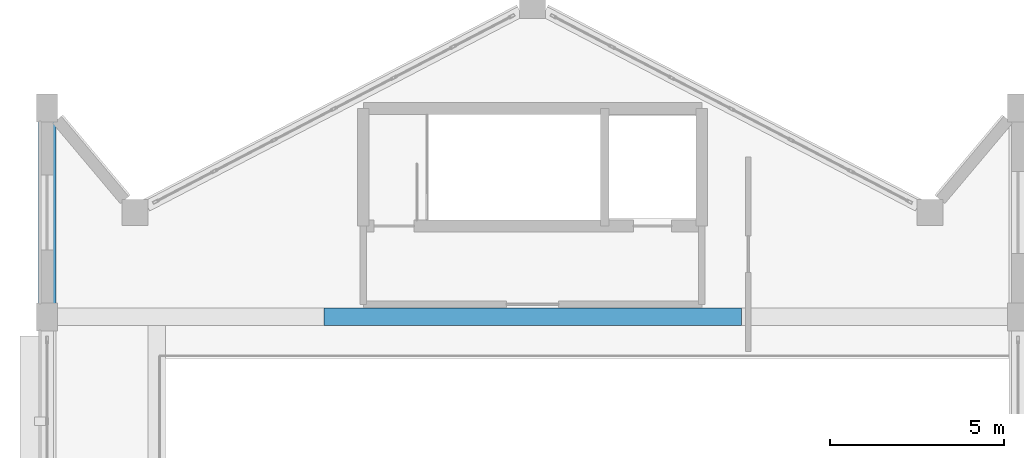
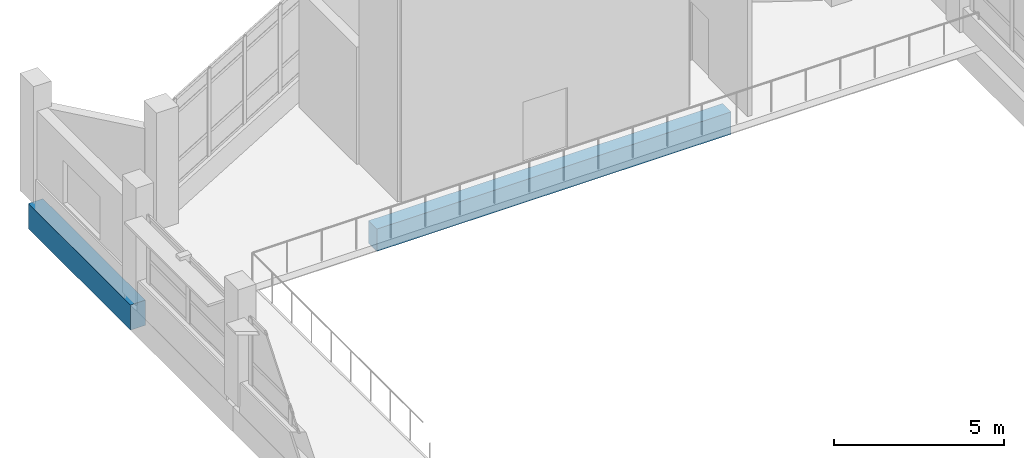
# One storey, part 24 of 128: 2 beams.
"""IFC4 building model written with IfcOpenShell, lengths in metres."""

from ifc_helpers import new_model, si_unit, direction, frame, origin, origin_2d, place, context, subcontext, project, spatial, rectangle, extrude, material, material_profile, profile_set, type_object, element, save


model = new_model("IFC4")

# Units and contexts
model_context = context("Model", 3, precision=1e-05, world=origin(), true_north=direction((0.0, 1.0)))
body_context = subcontext(model_context, "Body", "Model", "MODEL_VIEW")
ifc_project = project(units=[si_unit("LENGTHUNIT", "METRE"), si_unit("AREAUNIT", "SQUARE_METRE"), si_unit("VOLUMEUNIT", "CUBIC_METRE"), si_unit("PLANEANGLEUNIT", "RADIAN"), si_unit("MASSUNIT", "GRAM", prefix="KILO")], contexts=[model_context])

# Site, building, storey
site_placement = place(None, origin())
site = spatial("IfcSite", under=ifc_project, at=site_placement, CompositionType="ELEMENT")
building_placement = place(site_placement, origin())
building = spatial("IfcBuilding", under=site, at=building_placement, Name="Vespera Passage Community Centre", CompositionType="ELEMENT")
storey_placement = place(building_placement, frame((0.0, 0.0, 4.5)))
storey = spatial("IfcBuildingStorey", under=building, at=storey_placement, Name="L01", CompositionType="ELEMENT", Elevation=4.5)

# Beams
ifc_material_1 = material(Name="Concrete f'c 35 MPa", Category="concrete")
ifc_material_profile_1 = material_profile(ifc_material_1, rectangle(XDim=0.5, YDim=0.800048828125, at=origin_2d()), Name="RC500X800")
ifc_profile_set_1 = profile_set([ifc_material_profile_1], Name="Concrete f'c 35 MPa")
beam_type_1 = type_object("IfcBeamType", Name="BM-G-500X800", PredefinedType="BEAM", material=ifc_profile_set_1)
beam_1_placement = place(storey_placement, frame((12.0, 43.0, -0.639892578125), z_axis=(1.0, 0.0, 0.0), x_axis=(0.0, 1.0, 0.0)))
element("IfcBeam", 1, at=beam_1_placement, inside=storey, type_object=beam_type_1, Name="V1 L01 N Gallery Girder 2", PredefinedType="BEAM", context=body_context, shape_type="SweptSolid", body=[
    extrude(rectangle(XDim=0.5, YDim=0.800048828125, at=origin_2d()), origin(), (0.0, 0.0, 1.0), 12.0),
])
ifc_material_2 = material(Name="Concrete f'c 45 MPa", Category="concrete")
ifc_material_profile_2 = material_profile(ifc_material_2, rectangle(XDim=0.5, YDim=0.89990234375, at=origin_2d()), Name="RC500X900")
ifc_profile_set_2 = profile_set([ifc_material_profile_2], Name="Concrete f'c 45 MPa")
beam_type_2 = type_object("IfcBeamType", Name="BM-SP-500X900E", PredefinedType="SPANDREL", material=ifc_profile_set_2)
beam_2_placement = place(storey_placement, frame((4.050048828125, 43.0, -0.68994140625), z_axis=(0.0, 1.0, 0.0), x_axis=(-1.0, 0.0, 0.0)))
element("IfcBeam", 2, at=beam_2_placement, inside=storey, type_object=beam_type_2, Name="V1 L01 Spandrel W7", PredefinedType="SPANDREL", context=body_context, shape_type="SweptSolid", body=[
    extrude(rectangle(XDim=0.5, YDim=0.89990234375, at=origin_2d()), origin(), (0.0, 0.0, 1.0), 6.0),
])

save(model, "model.ifc")
